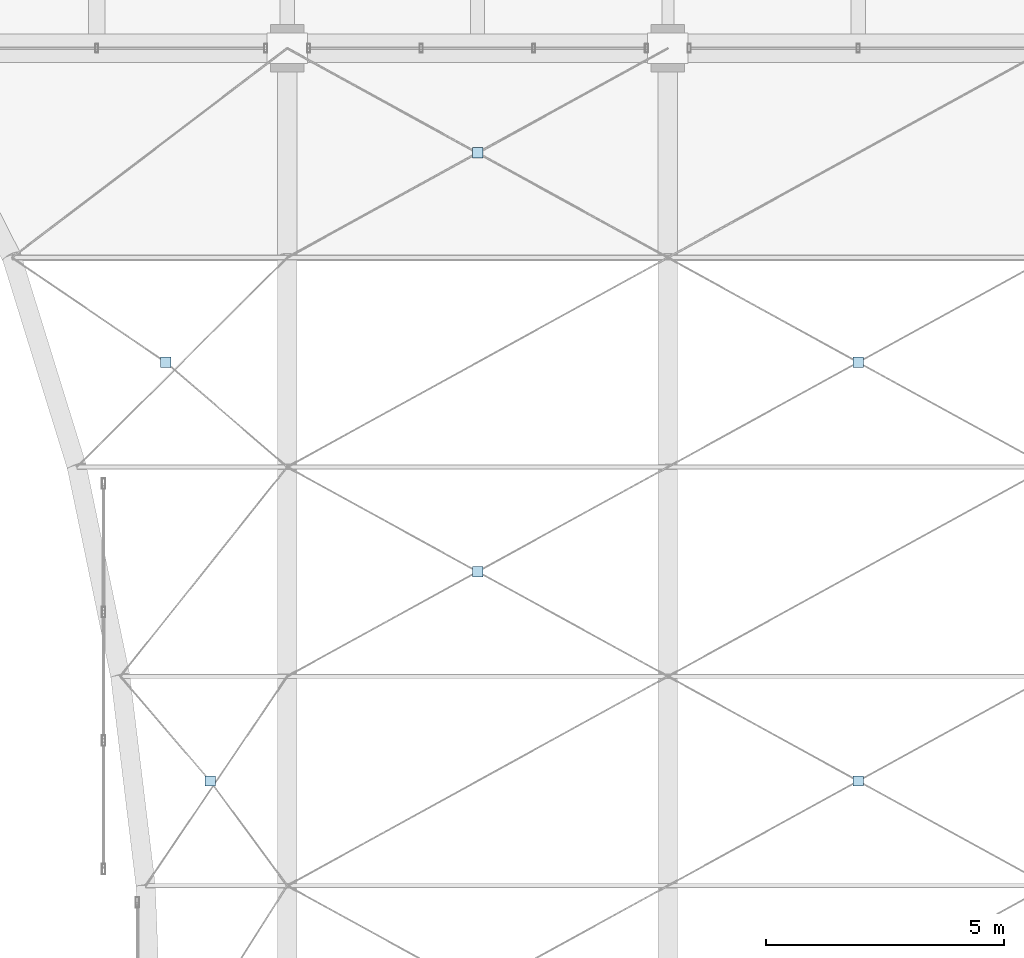
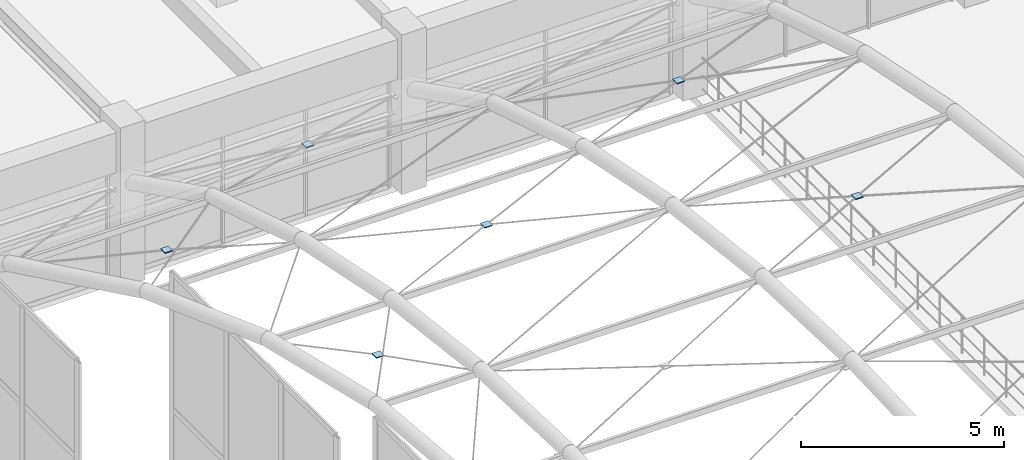
# One storey, part 102 of 144: 6 plates.
"""IFC4 building model written with IfcOpenShell, lengths in metres."""

from ifc_helpers import new_model, si_unit, direction, frame, origin, origin_2d, place, context, subcontext, project, spatial, rectangle, extrude, material, layer, layer_set, type_object, element, save


model = new_model("IFC4")

# Units and contexts
model_context = context("Model", 3, precision=1e-05, world=origin(), true_north=direction((0.0, 1.0)))
body_context = subcontext(model_context, "Body", "Model", "MODEL_VIEW")
ifc_project = project(units=[si_unit("LENGTHUNIT", "METRE"), si_unit("AREAUNIT", "SQUARE_METRE"), si_unit("VOLUMEUNIT", "CUBIC_METRE"), si_unit("PLANEANGLEUNIT", "RADIAN"), si_unit("MASSUNIT", "GRAM", prefix="KILO")], contexts=[model_context])

# Site, building, storey
site_placement = place(None, origin())
site = spatial("IfcSite", under=ifc_project, at=site_placement, CompositionType="ELEMENT")
building_placement = place(site_placement, origin())
building = spatial("IfcBuilding", under=site, at=building_placement, Name="Varnabhumi Central Station", CompositionType="ELEMENT")
storey_placement = place(building_placement, frame((0.0, 0.0, 4.800048828125)))
storey = spatial("IfcBuildingStorey", under=building, at=storey_placement, Name="L01", CompositionType="ELEMENT", Elevation=4.800048828125)

# Plates
ifc_material = material(Name="Structural steel E450", Category="steel")
ifc_layer = layer(ifc_material, 0.035888671875, Name="Structural steel E450", Category="steel")
ifc_layer_set = layer_set([ifc_layer], Name="Structural steel E450")
plate_type = type_object("IfcPlateType", Name="PLT-CLEVIS-C", PredefinedType="SHEET", material=ifc_layer_set)
for number, where, z_axis, x_axis, name in (
    (1, (6.37890625, 64.60009765625, 7.4638671875), (0.0, 0.0, 1.0), (1.0, 0.0, 0.0), "Forecourt Arrival Canopy Vault Cable-Net Crossing Clamp Node B1-P7"),
    (2, (5.44775390625, 73.39990234375, 5.6015625), (0.0, 0.0, 1.0), (1.0, 0.0, 0.0), "Forecourt Arrival Canopy Vault Cable-Net Crossing Clamp Node B1-P9"),
    (3, (12.0, 69.0, 6.740234375), (0.0, 0.0, 1.0), (1.0, 0.0, 0.0), "Forecourt Arrival Canopy Vault Cable-Net Crossing Clamp Node B2-P8"),
    (4, (12.0, 77.800048828125, 3.81298828125), (0.0, 0.0, 1.0), (1.0, 0.0, 0.0), "Forecourt Arrival Canopy Vault Cable-Net Crossing Clamp Node B2-P10"),
    (5, (20.0, 64.60009765625, 7.4638671875), (0.0, 0.0, 1.0), (1.0, 0.0, 0.0), "Forecourt Arrival Canopy Vault Cable-Net Crossing Clamp Node B3-P7"),
    (6, (20.0, 73.39990234375, 5.6015625), (0.0, 0.0, 1.0), (1.0, 0.0, 0.0), "Forecourt Arrival Canopy Vault Cable-Net Crossing Clamp Node B3-P9"),
):
    element("IfcPlate", number, at=place(storey_placement, frame(where, z_axis=z_axis, x_axis=x_axis)), inside=storey, type_object=plate_type, Name=name, PredefinedType="SHEET", context=body_context, shape_type="SweptSolid", body=[
        extrude(rectangle(XDim=0.219970703125, YDim=0.219970703125, at=origin_2d()), origin(), (0.0, 0.0, 1.0), 0.028076171875),
    ])

save(model, "model.ifc")
